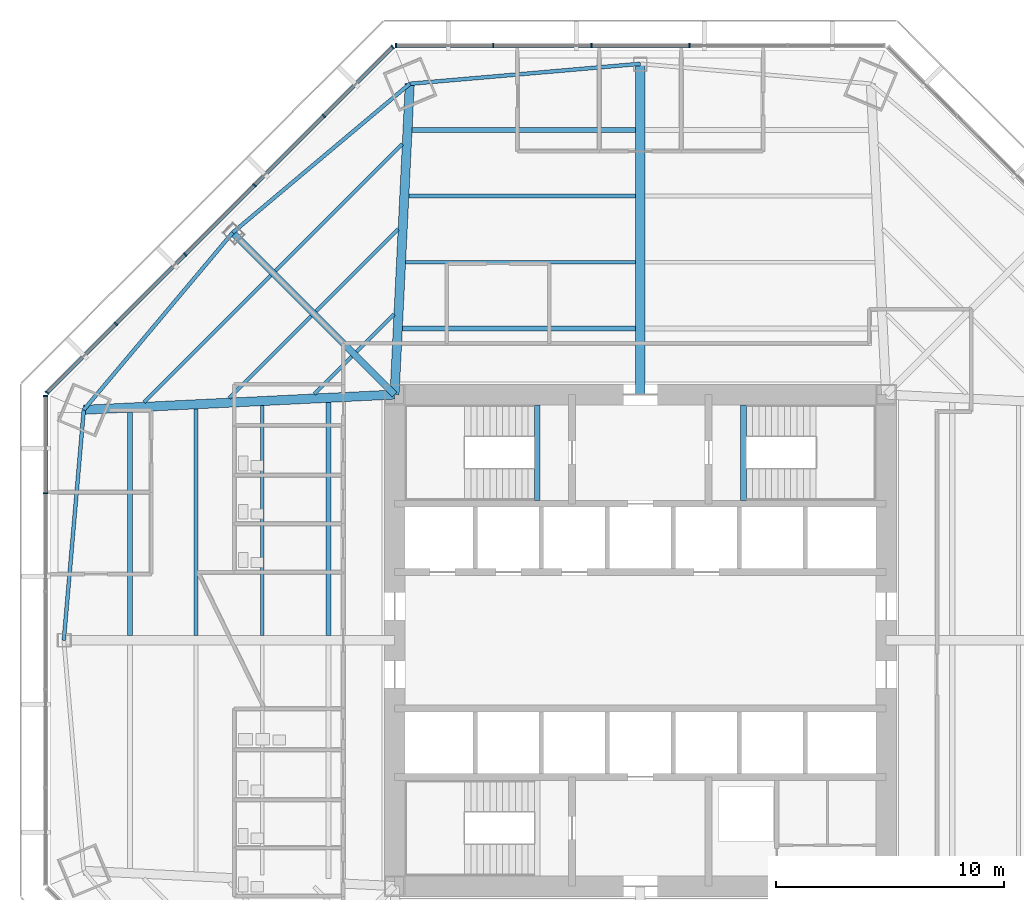
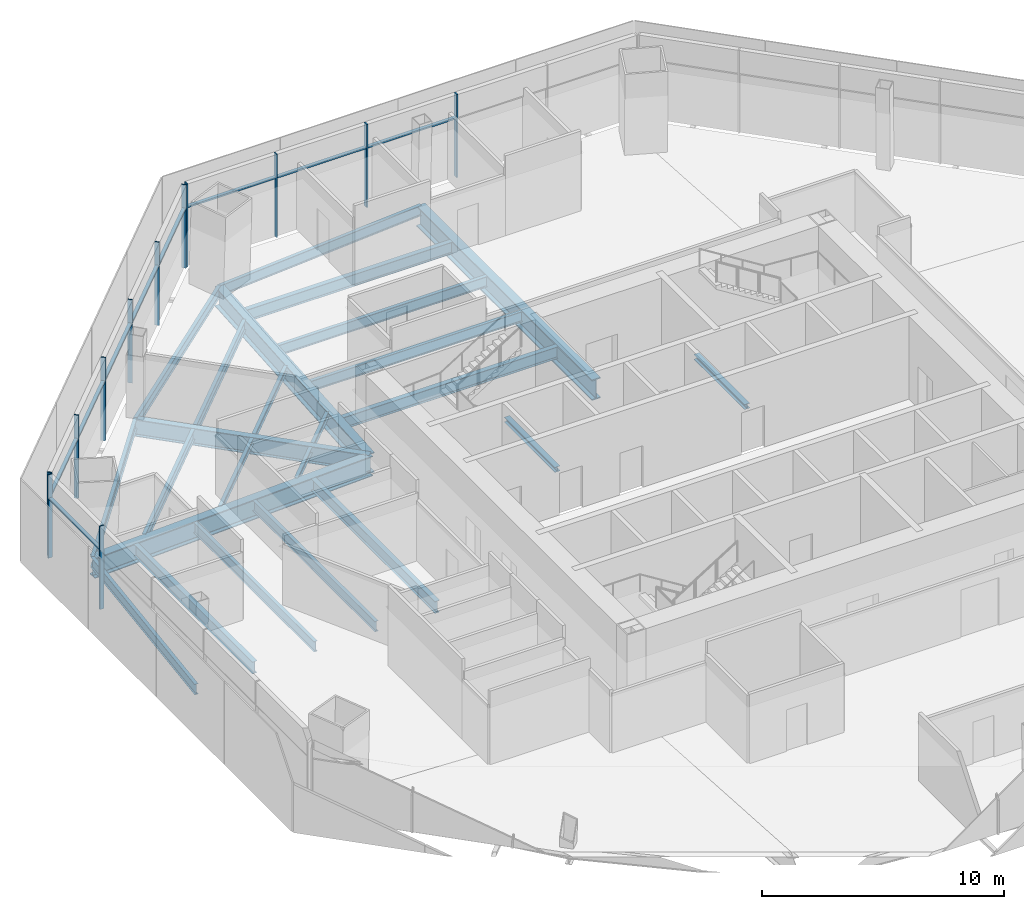
# One storey, part 5 of 15: 24 beams, 21 members, 3 elements without a shape of their own.
"""IFC4 building model written with IfcOpenShell, lengths in metres."""

from ifc_helpers import new_model, si_unit, direction, frame, origin, origin_2d, place, context, subcontext, project, spatial, rectangle, i_section, extrude, source, transform, mapped, material, material_profile, profile_set, type_object, type_shapes, element, aggregate, save


model = new_model("IFC4")

# Units and contexts
model_context = context("Model", 3, precision=1e-05, world=origin(), true_north=direction((0.0, 1.0)))
body_context = subcontext(model_context, "Body", "Model", "MODEL_VIEW")
ifc_project = project(units=[si_unit("LENGTHUNIT", "METRE"), si_unit("AREAUNIT", "SQUARE_METRE"), si_unit("VOLUMEUNIT", "CUBIC_METRE"), si_unit("PLANEANGLEUNIT", "RADIAN"), si_unit("MASSUNIT", "GRAM", prefix="KILO")], contexts=[model_context])

# Site, building, storey
site_placement = place(None, origin())
site = spatial("IfcSite", under=ifc_project, at=site_placement, CompositionType="ELEMENT")
building_placement = place(site_placement, origin())
building = spatial("IfcBuilding", under=site, at=building_placement, Name="Mashrafa Tower", CompositionType="ELEMENT")
storey_placement = place(building_placement, frame((0.0, 0.0, 66.60009765625)))
storey = spatial("IfcBuildingStorey", under=building, at=storey_placement, Name="L14", CompositionType="ELEMENT", Elevation=66.60009765625)

# Beams
ifc_material_1 = material(Name="Steel ASTM A992", Category="steel")
ifc_material_profile_1 = material_profile(ifc_material_1, i_section(OverallWidth=0.164794921875, OverallDepth=0.309814453125, WebThickness=0.005859375, FlangeThickness=0.009765625, FilletRadius=0.007568359375, at=origin_2d()), Name="W12X26")
ifc_profile_set_1 = profile_set([ifc_material_profile_1], Name="Steel ASTM A992")
beam_type_1 = type_object("IfcBeamType", Name="Beam W12X26", PredefinedType="BEAM", material=ifc_profile_set_1)
beam_1_placement = place(storey_placement, frame((-18.0703125, 10.64453125, -0.320068359375), z_axis=(0.707106781187, 0.707106781187, 0.0), x_axis=(-0.707106781187, 0.707106781187, 0.0)))
element("IfcBeam", 1, at=beam_1_placement, inside=storey, type_object=beam_type_1, Name="Floor beam L14 006", PredefinedType="BEAM", context=body_context, shape_type="SweptSolid", body=[
    extrude(i_section(OverallWidth=0.164794921875, OverallDepth=0.309814453125, WebThickness=0.005859375, FlangeThickness=0.009765625, FilletRadius=0.007568359375, at=origin_2d()), origin(), (0.0, 0.0, 1.0), 5.104736328125),
])
beam_2_placement = place(storey_placement, frame((-14.32958984375, 10.827880859375, -0.320068359375), z_axis=(0.707159169168, 0.707054389324, 0.0), x_axis=(-0.707054389324, 0.707159169168, 0.0)))
element("IfcBeam", 2, at=beam_2_placement, inside=storey, type_object=beam_type_1, Name="Floor beam L14 011", PredefinedType="BEAM", context=body_context, shape_type="SweptSolid", body=[
    extrude(i_section(OverallWidth=0.164794921875, OverallDepth=0.309814453125, WebThickness=0.005859375, FlangeThickness=0.009765625, FilletRadius=0.007568359375, at=origin_2d()), origin(), (0.0, 0.0, 1.0), 2.330078125),
])
beam_3_placement = place(storey_placement, frame((-14.254150390625, 14.460693359375, -0.320068359375), z_axis=(0.707106781187, 0.707106781187, 0.0), x_axis=(-0.707106781187, 0.707106781187, 0.0)))
element("IfcBeam", 3, at=beam_3_placement, inside=storey, type_object=beam_type_1, Name="Floor beam L14 013", PredefinedType="BEAM", context=body_context, shape_type="SweptSolid", body=[
    extrude(i_section(OverallWidth=0.164794921875, OverallDepth=0.309814453125, WebThickness=0.005859375, FlangeThickness=0.009765625, FilletRadius=0.007568359375, at=origin_2d()), origin(), (0.0, 0.0, 1.0), 5.104736328125),
])
beam_4_placement = place(storey_placement, frame((-12.475341796875, 12.681884765625, -0.320068359375), z_axis=(0.707054389324, 0.707159169168, 0.0), x_axis=(-0.707159169168, 0.707054389324, 0.0)))
element("IfcBeam", 4, at=beam_4_placement, inside=storey, type_object=beam_type_1, Name="Floor beam L14 017", PredefinedType="BEAM", context=body_context, shape_type="SweptSolid", body=[
    extrude(i_section(OverallWidth=0.164794921875, OverallDepth=0.309814453125, WebThickness=0.005859375, FlangeThickness=0.009765625, FilletRadius=0.007568359375, at=origin_2d()), origin(), (0.0, 0.0, 1.0), 2.330078125),
])
ifc_material_2 = material(Name="Steel ASTM A992", Category="steel")
ifc_material_profile_2 = material_profile(ifc_material_2, i_section(OverallWidth=0.165771484375, OverallDepth=0.5283203125, WebThickness=0.009765625, FlangeThickness=0.013671875, FilletRadius=0.012939453125, at=origin_2d()), Name="W21X50")
ifc_profile_set_2 = profile_set([ifc_material_profile_2], Name="Steel ASTM A992")
beam_type_2 = type_object("IfcBeamType", Name="Beam W21X50", PredefinedType="BEAM", material=ifc_profile_set_2)
beam_5_placement = place(storey_placement, frame((-21.81103515625, 10.461181640625, -0.42919921875), z_axis=(0.707106781187, 0.707106781187, 0.0), x_axis=(-0.707106781187, 0.707106781187, 0.0)))
element("IfcBeam", 5, at=beam_5_placement, inside=storey, type_object=beam_type_2, Name="Floor beam L14 003", PredefinedType="BEAM", context=body_context, shape_type="SweptSolid", body=[
    extrude(i_section(OverallWidth=0.165771484375, OverallDepth=0.5283203125, WebThickness=0.009765625, FlangeThickness=0.013671875, FilletRadius=0.012939453125, at=origin_2d()), origin(), (0.0, 0.0, 1.0), 7.87939453125),
])
beam_6_placement = place(storey_placement, frame((-19.521240234375, 0.20458984375, -0.42919921875), z_axis=(0.0, 1.0, 0.0), x_axis=(-1.0, 0.0, 0.0)))
element("IfcBeam", 6, at=beam_6_placement, inside=storey, type_object=beam_type_2, Name="Floor beam L14 005", PredefinedType="BEAM", context=body_context, shape_type="SweptSolid", body=[
    extrude(i_section(OverallWidth=0.165771484375, OverallDepth=0.5283203125, WebThickness=0.009765625, FlangeThickness=0.013671875, FilletRadius=0.012939453125, at=origin_2d()), origin(), (0.0, 0.0, 1.0), 9.967041015625),
])
beam_7_placement = place(storey_placement, frame((-16.6142578125, 0.20458984375, -0.42919921875), z_axis=(0.0, 1.0, 0.0), x_axis=(-1.0, 0.0, 0.0)))
element("IfcBeam", 7, at=beam_7_placement, inside=storey, type_object=beam_type_2, Name="Floor beam L14 008", PredefinedType="BEAM", context=body_context, shape_type="SweptSolid", body=[
    extrude(i_section(OverallWidth=0.165771484375, OverallDepth=0.5283203125, WebThickness=0.009765625, FlangeThickness=0.013671875, FilletRadius=0.012939453125, at=origin_2d()), origin(), (0.0, 0.0, 1.0), 10.109619140625),
])
beam_8_placement = place(storey_placement, frame((-16.03271484375, 16.239501953125, -0.42919921875), z_axis=(0.707106781187, 0.707106781187, 0.0), x_axis=(-0.707106781187, 0.707106781187, 0.0)))
element("IfcBeam", 8, at=beam_8_placement, inside=storey, type_object=beam_type_2, Name="Floor beam L14 010", PredefinedType="BEAM", context=body_context, shape_type="SweptSolid", body=[
    extrude(i_section(OverallWidth=0.165771484375, OverallDepth=0.5283203125, WebThickness=0.009765625, FlangeThickness=0.013671875, FilletRadius=0.012939453125, at=origin_2d()), origin(), (0.0, 0.0, 1.0), 7.87939453125),
])
beam_9_placement = place(storey_placement, frame((-10.314208984375, 16.6142578125, -0.42919921875), z_axis=(1.0, 0.0, 0.0), x_axis=(0.0, 1.0, 0.0)))
element("IfcBeam", 9, at=beam_9_placement, inside=storey, type_object=beam_type_2, Name="Floor beam L14 020", PredefinedType="BEAM", context=body_context, shape_type="SweptSolid", body=[
    extrude(i_section(OverallWidth=0.165771484375, OverallDepth=0.5283203125, WebThickness=0.009765625, FlangeThickness=0.013671875, FilletRadius=0.012939453125, at=origin_2d()), origin(), (0.0, 0.0, 1.0), 10.109619140625),
])
beam_10_placement = place(storey_placement, frame((-10.171630859375, 19.521240234375, -0.42919921875), z_axis=(1.0, 0.0, 0.0), x_axis=(0.0, 1.0, 0.0)))
element("IfcBeam", 10, at=beam_10_placement, inside=storey, type_object=beam_type_2, Name="Floor beam L14 022", PredefinedType="BEAM", context=body_context, shape_type="SweptSolid", body=[
    extrude(i_section(OverallWidth=0.165771484375, OverallDepth=0.5283203125, WebThickness=0.009765625, FlangeThickness=0.013671875, FilletRadius=0.012939453125, at=origin_2d()), origin(), (0.0, 0.0, 1.0), 9.967041015625),
])
beam_11_placement = place(storey_placement, frame((-24.457275390625, 10.130615234375, -0.42919921875), z_axis=(-0.08636127718, -0.996263885627, 0.0), x_axis=(0.996263885627, -0.08636127718, 0.0)))
element("IfcBeam", 11, at=beam_11_placement, inside=storey, type_object=beam_type_2, Name="Spandrel beam L14 075", PredefinedType="BEAM", context=body_context, shape_type="SweptSolid", body=[
    extrude(i_section(OverallWidth=0.165771484375, OverallDepth=0.5283203125, WebThickness=0.009765625, FlangeThickness=0.013671875, FilletRadius=0.012939453125, at=origin_2d()), origin(), (0.0, 0.0, 1.0), 10.168701171875),
])
for number, where, z_axis, x_axis, name in (
    (12, (-17.914794921875, 17.914794921875, -0.42919921875), (-0.643409408254, -0.765522261839, 0.0), (0.765522261839, -0.643409408254, 0.0), "Spandrel beam L14 077"),
    (13, (-10.130615234375, 24.457275390625, -0.42919921875), (-0.765522261839, -0.643409408254, 0.0), (0.643409408254, -0.765522261839, 0.0), "Spandrel beam L14 079"),
):
    element("IfcBeam", number, at=place(storey_placement, frame(where, z_axis=z_axis, x_axis=x_axis)), inside=storey, type_object=beam_type_2, Name=name, PredefinedType="BEAM", context=body_context, shape_type="SweptSolid", body=[
        extrude(i_section(OverallWidth=0.165771484375, OverallDepth=0.5283203125, WebThickness=0.009765625, FlangeThickness=0.013671875, FilletRadius=0.012939453125, at=origin_2d()), origin(), (0.0, 0.0, 1.0), 10.16845703125),
    ])
beam_12_placement = place(storey_placement, frame((0.0, 25.33544921875, -0.42919921875), z_axis=(-0.996263885627, -0.08636127718, 0.0), x_axis=(0.08636127718, -0.996263885627, 0.0)))
element("IfcBeam", 14, at=beam_12_placement, inside=storey, type_object=beam_type_2, Name="Spandrel beam L14 081", PredefinedType="BEAM", context=body_context, shape_type="SweptSolid", body=[
    extrude(i_section(OverallWidth=0.165771484375, OverallDepth=0.5283203125, WebThickness=0.009765625, FlangeThickness=0.013671875, FilletRadius=0.012939453125, at=origin_2d()), origin(), (0.0, 0.0, 1.0), 10.168701171875),
])
ifc_material_3 = material(Name="Steel ASTM A992", Category="steel")
ifc_material_profile_3 = material_profile(ifc_material_3, i_section(OverallWidth=0.227783203125, OverallDepth=0.60205078125, WebThickness=0.010498046875, FlangeThickness=0.014892578125, FilletRadius=0.012939453125, at=origin_2d()), Name="W24X68")
ifc_profile_set_3 = profile_set([ifc_material_profile_3], Name="Steel ASTM A992")
beam_type_3 = type_object("IfcBeamType", Name="Beam W24X68", PredefinedType="BEAM", material=ifc_profile_set_3)
beam_13_placement = place(storey_placement, frame((-22.42822265625, 0.20458984375, -0.466064453125), z_axis=(0.0, 1.0, 0.0), x_axis=(-1.0, 0.0, 0.0)))
element("IfcBeam", 15, at=beam_13_placement, inside=storey, type_object=beam_type_3, Name="Floor beam L14 002", PredefinedType="BEAM", context=body_context, shape_type="SweptSolid", body=[
    extrude(i_section(OverallWidth=0.227783203125, OverallDepth=0.60205078125, WebThickness=0.010498046875, FlangeThickness=0.014892578125, FilletRadius=0.012939453125, at=origin_2d()), origin(), (0.0, 0.0, 1.0), 9.824462890625),
])
for number, where, z_axis, x_axis, name in (
    (16, (-13.70703125, 0.20458984375, -0.466064453125), (0.0, 1.0, 0.0), (-1.0, 0.0, 0.0), "Floor beam L14 015"),
    (17, (-10.45654296875, 13.70703125, -0.466064453125), (1.0, 0.0, 0.0), (0.0, 1.0, 0.0), "Floor beam L14 018"),
):
    element("IfcBeam", number, at=place(storey_placement, frame(where, z_axis=z_axis, x_axis=x_axis)), inside=storey, type_object=beam_type_3, Name=name, PredefinedType="BEAM", context=body_context, shape_type="SweptSolid", body=[
        extrude(i_section(OverallWidth=0.227783203125, OverallDepth=0.60205078125, WebThickness=0.010498046875, FlangeThickness=0.014892578125, FilletRadius=0.012939453125, at=origin_2d()), origin(), (0.0, 0.0, 1.0), 10.251953125),
    ])
beam_14_placement = place(storey_placement, frame((-10.029052734375, 22.42822265625, -0.466064453125), z_axis=(1.0, 0.0, 0.0), x_axis=(0.0, 1.0, 0.0)))
element("IfcBeam", 18, at=beam_14_placement, inside=storey, type_object=beam_type_3, Name="Floor beam L14 024", PredefinedType="BEAM", context=body_context, shape_type="SweptSolid", body=[
    extrude(i_section(OverallWidth=0.227783203125, OverallDepth=0.60205078125, WebThickness=0.010498046875, FlangeThickness=0.014892578125, FilletRadius=0.012939453125, at=origin_2d()), origin(), (0.0, 0.0, 1.0), 9.824462890625),
])
ifc_material_4 = material(Name="Steel ASTM A992", Category="steel")
ifc_material_profile_4 = material_profile(ifc_material_4, i_section(OverallWidth=0.2919921875, OverallDepth=0.8583984375, WebThickness=0.01708984375, FlangeThickness=0.031005859375, FilletRadius=0.017822265625, at=origin_2d()), Name="W33X169")
ifc_profile_set_4 = profile_set([ifc_material_profile_4], Name="Steel ASTM A992")
beam_type_4 = type_object("IfcBeamType", Name="Beam W33X169", PredefinedType="BEAM", material=ifc_profile_set_4)
beam_15_placement = place(storey_placement, frame((-10.800048828125, 10.800048828125, -0.59423828125), z_axis=(-0.707106781187, 0.707106781187, 0.0), x_axis=(-0.707106781187, -0.707106781187, 0.0)))
element("IfcBeam", 19, at=beam_15_placement, inside=storey, type_object=beam_type_4, Name="Radial girder L14 062", PredefinedType="BEAM", context=body_context, shape_type="SweptSolid", body=[
    extrude(i_section(OverallWidth=0.2919921875, OverallDepth=0.8583984375, WebThickness=0.01708984375, FlangeThickness=0.031005859375, FilletRadius=0.017822265625, at=origin_2d()), origin(), (0.0, 0.0, 1.0), 10.061767578125),
])
ifc_material_5 = material(Name="Steel ASTM A992", Category="steel")
ifc_material_profile_5 = material_profile(ifc_material_5, i_section(OverallWidth=0.4013671875, OverallDepth=1.010986328125, WebThickness=0.023681640625, FlangeThickness=0.0419921875, FilletRadius=0.02001953125, at=origin_2d()), Name="W40X297")
ifc_profile_set_5 = profile_set([ifc_material_profile_5], Name="Steel ASTM A992")
beam_type_5 = type_object("IfcBeamType", Name="Beam W40X297", PredefinedType="BEAM", material=ifc_profile_set_5)
for number, where, z_axis, x_axis, name in (
    (20, (-10.800048828125, 10.800048828125, -0.670654296875), (-0.998800836919, -0.048958024577, 0.0), (0.048958024577, -0.998800836919, 0.0), "Radial girder L14 061"),
    (21, (-10.800048828125, 10.800048828125, -0.670654296875), (0.048958024577, 0.998800836919, 0.0), (-0.998800836919, 0.048958024577, 0.0), "Radial girder L14 063"),
):
    element("IfcBeam", number, at=place(storey_placement, frame(where, z_axis=z_axis, x_axis=x_axis)), inside=storey, type_object=beam_type_5, Name=name, PredefinedType="BEAM", context=body_context, shape_type="SweptSolid", body=[
        extrude(i_section(OverallWidth=0.4013671875, OverallDepth=1.010986328125, WebThickness=0.023681640625, FlangeThickness=0.0419921875, FilletRadius=0.02001953125, at=origin_2d()), origin(), (0.0, 0.0, 1.0), 13.673583984375),
    ])
ifc_material_6 = material(Name="Steel ASTM A992", Category="steel")
ifc_material_profile_6 = material_profile(ifc_material_6, i_section(OverallWidth=0.408935546875, OverallDepth=1.04150390625, WebThickness=0.031005859375, FlangeThickness=0.055908203125, FilletRadius=0.020263671875, at=origin_2d()), Name="W40X397")
ifc_profile_set_6 = profile_set([ifc_material_profile_6], Name="Steel ASTM A992")
beam_type_6 = type_object("IfcBeamType", Name="Beam W40X397", PredefinedType="BEAM", material=ifc_profile_set_6)
beam_16_placement = place(storey_placement, frame((0.0, 10.800048828125, -0.685791015625), z_axis=(0.0, 1.0, 0.0), x_axis=(-1.0, 0.0, 0.0)))
element("IfcBeam", 22, at=beam_16_placement, inside=storey, type_object=beam_type_6, Name="Radial girder L14 065", PredefinedType="BEAM", context=body_context, shape_type="SweptSolid", body=[
    extrude(i_section(OverallWidth=0.408935546875, OverallDepth=1.04150390625, WebThickness=0.031005859375, FlangeThickness=0.055908203125, FilletRadius=0.020263671875, at=origin_2d()), origin(), (0.0, 0.0, 1.0), 14.535400390625),
])
ifc_material_7 = material(Name="Steel ASTM A992", Category="steel")
ifc_material_profile_7 = material_profile(ifc_material_7, i_section(OverallWidth=0.25390625, OverallDepth=0.25390625, WebThickness=0.008544921875, FlangeThickness=0.01416015625, FilletRadius=0.010009765625, at=origin_2d()), Name="W10X49")
ifc_profile_set_7 = profile_set([ifc_material_profile_7], Name="Steel ASTM A992")
beam_type_7 = type_object("IfcBeamType", Name="Hoistway beam W10X49", PredefinedType="BEAM", material=ifc_profile_set_7)
for number, where, z_axis, x_axis, name in (
    (23, (-4.530029296875, 6.14990234375, -0.3271484375), (0.0, 1.0, 0.0), (-1.0, 0.0, 0.0), "Stair S1 landing beam L14"),
    (24, (4.530029296875, 6.14990234375, -0.3271484375), (0.0, 1.0, 0.0), (-1.0, 0.0, 0.0), "Stair S2 landing beam L14"),
):
    element("IfcBeam", number, at=place(storey_placement, frame(where, z_axis=z_axis, x_axis=x_axis)), inside=storey, type_object=beam_type_7, Name=name, PredefinedType="BEAM", context=body_context, shape_type="SweptSolid", body=[
        extrude(i_section(OverallWidth=0.25390625, OverallDepth=0.25390625, WebThickness=0.008544921875, FlangeThickness=0.01416015625, FilletRadius=0.010009765625, at=origin_2d()), origin(), (0.0, 0.0, 1.0), 4.2001953125),
    ])

# Curtain wall, members
ifc_material_8 = material(Name="Unitised aluminium curtain wall", Category="aluminium")
curtain_wall_type = type_object("IfcCurtainWallType", Name="Office curtain wall, zone 1 CW-A 200 deep", PredefinedType="NOTDEFINED", material=ifc_material_8)
curtain_wall_1_placement = place(storey_placement, origin())
curtain_wall_1 = element("IfcCurtainWall", 25, at=curtain_wall_1_placement, inside=storey, type_object=curtain_wall_type, Name="Office curtain wall, zone 1 L14 north", PredefinedType="NOTDEFINED")
ifc_material_9 = material(Name="Extruded aluminium mullion", Category="aluminium")
ifc_material_profile_8 = material_profile(ifc_material_9, rectangle(XDim=0.199951171875, YDim=0.06494140625, at=origin_2d()), Name="Mullion 65x200")
ifc_profile_set_8 = profile_set([ifc_material_profile_8], Name="Extruded aluminium mullion")
member_type_1 = type_object("IfcMemberType", Name="Mullion CW-A 65 x 200", PredefinedType="MULLION", material=ifc_profile_set_8)
shared_shape_1 = source(origin(), body_context, "Body", "SweptSolid", [
    extrude(rectangle(XDim=0.199951171875, YDim=0.06494140625, at=origin_2d()), origin(), (0.0, 0.0, 1.0), 4.199951171875),
])
type_shapes(member_type_1, [shared_shape_1])
member_1_placement = place(storey_placement, frame((2.154541015625, 26.130615234375, 0.0), z_axis=(0.0, 0.0, 1.0), x_axis=(0.0, -1.0, 0.0)))
member_1 = element("IfcMember", 26, at=member_1_placement, type_object=member_type_1, Name="CW-A mullion 3", PredefinedType="MULLION", context=body_context, shape_type="MappedRepresentation", body=[
    mapped(shared_shape_1, transform((0.0, 0.0, 0.0))),
])
member_2_placement = place(storey_placement, frame((-2.154541015625, 26.130615234375, 0.0), z_axis=(0.0, 0.0, 1.0), x_axis=(0.0, -1.0, 0.0)))
member_2 = element("IfcMember", 27, at=member_2_placement, type_object=member_type_1, Name="CW-A mullion 4", PredefinedType="MULLION", context=body_context, shape_type="MappedRepresentation", body=[
    mapped(shared_shape_1, transform((0.0, 0.0, 0.0))),
])
member_3_placement = place(storey_placement, frame((-6.46337890625, 26.130615234375, 0.0), z_axis=(0.0, 0.0, 1.0), x_axis=(0.0, -1.0, 0.0)))
member_3 = element("IfcMember", 28, at=member_3_placement, type_object=member_type_1, Name="CW-A mullion 5", PredefinedType="MULLION", context=body_context, shape_type="MappedRepresentation", body=[
    mapped(shared_shape_1, transform((0.0, 0.0, 0.0))),
])
member_4_placement = place(storey_placement, frame((-10.73974609375, 26.130615234375, 0.0), z_axis=(0.0, 0.0, 1.0), x_axis=(0.0, -1.0, 0.0)))
member_4 = element("IfcMember", 29, at=member_4_placement, type_object=member_type_1, Name="CW-A mullion 6", PredefinedType="MULLION", context=body_context, shape_type="MappedRepresentation", body=[
    mapped(shared_shape_1, transform((0.0, 0.0, 0.0))),
])

curtain_wall_2_placement = place(storey_placement, origin())
curtain_wall_2 = element("IfcCurtainWall", 30, at=curtain_wall_2_placement, inside=storey, type_object=curtain_wall_type, Name="Office curtain wall, zone 1 L14 north-west", PredefinedType="NOTDEFINED")
member_5_placement = place(storey_placement, frame((-10.883056640625, 26.0712890625, 0.0), z_axis=(0.0, 0.0, 1.0), x_axis=(0.707106781187, -0.707106781187, 0.0)))
member_5 = element("IfcMember", 31, at=member_5_placement, type_object=member_type_1, Name="CW-A mullion 1", PredefinedType="MULLION", context=body_context, shape_type="MappedRepresentation", body=[
    mapped(shared_shape_1, transform((0.0, 0.0, 0.0))),
])
member_6_placement = place(storey_placement, frame((-13.906982421875, 23.04736328125, 0.0), z_axis=(0.0, 0.0, 1.0), x_axis=(0.707106781187, -0.707106781187, 0.0)))
member_6 = element("IfcMember", 32, at=member_6_placement, type_object=member_type_1, Name="CW-A mullion 2", PredefinedType="MULLION", context=body_context, shape_type="MappedRepresentation", body=[
    mapped(shared_shape_1, transform((0.0, 0.0, 0.0))),
])
member_7_placement = place(storey_placement, frame((-16.953857421875, 20.000732421875, 0.0), z_axis=(0.0, 0.0, 1.0), x_axis=(0.707106781187, -0.707106781187, 0.0)))
member_7 = element("IfcMember", 33, at=member_7_placement, type_object=member_type_1, Name="CW-A mullion 3", PredefinedType="MULLION", context=body_context, shape_type="MappedRepresentation", body=[
    mapped(shared_shape_1, transform((0.0, 0.0, 0.0))),
])
member_8_placement = place(storey_placement, frame((-20.000732421875, 16.953857421875, 0.0), z_axis=(0.0, 0.0, 1.0), x_axis=(0.707106781187, -0.707106781187, 0.0)))
member_8 = element("IfcMember", 34, at=member_8_placement, type_object=member_type_1, Name="CW-A mullion 4", PredefinedType="MULLION", context=body_context, shape_type="MappedRepresentation", body=[
    mapped(shared_shape_1, transform((0.0, 0.0, 0.0))),
])
member_9_placement = place(storey_placement, frame((-23.04736328125, 13.906982421875, 0.0), z_axis=(0.0, 0.0, 1.0), x_axis=(0.707106781187, -0.707106781187, 0.0)))
member_9 = element("IfcMember", 35, at=member_9_placement, type_object=member_type_1, Name="CW-A mullion 5", PredefinedType="MULLION", context=body_context, shape_type="MappedRepresentation", body=[
    mapped(shared_shape_1, transform((0.0, 0.0, 0.0))),
])
member_10_placement = place(storey_placement, frame((-26.0712890625, 10.883056640625, 0.0), z_axis=(0.0, 0.0, 1.0), x_axis=(0.707106781187, -0.707106781187, 0.0)))
member_10 = element("IfcMember", 36, at=member_10_placement, type_object=member_type_1, Name="CW-A mullion 6", PredefinedType="MULLION", context=body_context, shape_type="MappedRepresentation", body=[
    mapped(shared_shape_1, transform((0.0, 0.0, 0.0))),
])

curtain_wall_3_placement = place(storey_placement, origin())
curtain_wall_3 = element("IfcCurtainWall", 37, at=curtain_wall_3_placement, inside=storey, type_object=curtain_wall_type, Name="Office curtain wall, zone 1 L14 west", PredefinedType="NOTDEFINED")
member_11_placement = place(storey_placement, frame((-26.130615234375, 10.73974609375, 0.0), z_axis=(0.0, 0.0, 1.0), x_axis=(1.0, 0.0, 0.0)))
member_11 = element("IfcMember", 38, at=member_11_placement, type_object=member_type_1, Name="CW-A mullion 1", PredefinedType="MULLION", context=body_context, shape_type="MappedRepresentation", body=[
    mapped(shared_shape_1, transform((0.0, 0.0, 0.0))),
])
member_12_placement = place(storey_placement, frame((-26.130615234375, 6.46337890625, 0.0), z_axis=(0.0, 0.0, 1.0), x_axis=(1.0, 0.0, 0.0)))
member_12 = element("IfcMember", 39, at=member_12_placement, type_object=member_type_1, Name="CW-A mullion 2", PredefinedType="MULLION", context=body_context, shape_type="MappedRepresentation", body=[
    mapped(shared_shape_1, transform((0.0, 0.0, 0.0))),
])

# Member
ifc_material_10 = material(Name="Extruded aluminium transom", Category="aluminium")
ifc_material_profile_9 = material_profile(ifc_material_10, rectangle(XDim=0.159912109375, YDim=0.080078125, at=origin_2d()), Name="Transom 80x160")
ifc_profile_set_9 = profile_set([ifc_material_profile_9], Name="Extruded aluminium transom")
member_type_2 = type_object("IfcMemberType", Name="Transom CW-A 80 x 160", PredefinedType="MULLION", material=ifc_profile_set_9)
shared_shape_2 = source(origin(), body_context, "Body", "SweptSolid", [
    extrude(rectangle(XDim=0.159912109375, YDim=0.080078125, at=origin_2d()), origin(), (0.0, 0.0, 1.0), 4.21142578125),
])
member_13_placement = place(storey_placement, frame((-6.495849609375, 26.130615234375, 3.0), z_axis=(-1.0, 0.0, 0.0), x_axis=(0.0, -1.0, 0.0)))
member_13 = element("IfcMember", 40, at=member_13_placement, type_object=member_type_2, Name="CW-A transom 5", PredefinedType="MULLION", context=body_context, shape_type="MappedRepresentation", body=[
    mapped(shared_shape_2, transform((0.0, 0.0, 0.0))),
])

member_14_placement = place(storey_placement, frame((-10.906005859375, 26.04833984375, 3.0), z_axis=(-0.707135766318, -0.707077794867, 0.0), x_axis=(0.707077794867, -0.707135766318, 0.0)))
member_14 = element("IfcMember", 41, at=member_14_placement, type_object=member_type_2, Name="CW-A transom 1", PredefinedType="MULLION", context=body_context, shape_type="MappedRepresentation", body=[
    mapped(shared_shape_2, transform((0.0, 0.0, 0.0))),
])

member_15_placement = place(storey_placement, frame((-23.070556640625, 13.884033203125, 3.0), z_axis=(-0.707077794867, -0.707135766318, 0.0), x_axis=(0.707135766318, -0.707077794867, 0.0)))
member_15 = element("IfcMember", 42, at=member_15_placement, type_object=member_type_2, Name="CW-A transom 5", PredefinedType="MULLION", context=body_context, shape_type="MappedRepresentation", body=[
    mapped(shared_shape_2, transform((0.0, 0.0, 0.0))),
])

member_16_placement = place(storey_placement, frame((-26.130615234375, 10.707275390625, 3.0), z_axis=(0.0, -1.0, 0.0), x_axis=(1.0, 0.0, 0.0)))
member_16 = element("IfcMember", 43, at=member_16_placement, type_object=member_type_2, Name="CW-A transom 1", PredefinedType="MULLION", context=body_context, shape_type="MappedRepresentation", body=[
    mapped(shared_shape_2, transform((0.0, 0.0, 0.0))),
])

aggregate(curtain_wall_3, [member_11, member_12, member_16])

shared_shape_3 = source(origin(), body_context, "Body", "SweptSolid", [
    extrude(rectangle(XDim=0.159912109375, YDim=0.080078125, at=origin_2d()), origin(), (0.0, 0.0, 1.0), 4.243896484375),
])
member_17_placement = place(storey_placement, frame((-2.18701171875, 26.130615234375, 3.0), z_axis=(-1.0, 0.0, 0.0), x_axis=(0.0, -1.0, 0.0)))
member_17 = element("IfcMember", 44, at=member_17_placement, type_object=member_type_2, Name="CW-A transom 4", PredefinedType="MULLION", context=body_context, shape_type="MappedRepresentation", body=[
    mapped(shared_shape_3, transform((0.0, 0.0, 0.0))),
])

shared_shape_4 = source(origin(), body_context, "Body", "SweptSolid", [
    extrude(rectangle(XDim=0.159912109375, YDim=0.080078125, at=origin_2d()), origin(), (0.0, 0.0, 1.0), 4.244140625),
])
member_18_placement = place(storey_placement, frame((2.1220703125, 26.130615234375, 3.0), z_axis=(-1.0, 0.0, 0.0), x_axis=(0.0, -1.0, 0.0)))
member_18 = element("IfcMember", 45, at=member_18_placement, type_object=member_type_2, Name="CW-A transom 3", PredefinedType="MULLION", context=body_context, shape_type="MappedRepresentation", body=[
    mapped(shared_shape_4, transform((0.0, 0.0, 0.0))),
])

aggregate(curtain_wall_1, [member_1, member_2, member_3, member_4, member_18, member_17, member_13])

shared_shape_5 = source(origin(), body_context, "Body", "SweptSolid", [
    extrude(rectangle(XDim=0.159912109375, YDim=0.080078125, at=origin_2d()), origin(), (0.0, 0.0, 1.0), 4.24365234375),
])
type_shapes(member_type_2, [shared_shape_2, shared_shape_3, shared_shape_4, shared_shape_5])
member_19_placement = place(storey_placement, frame((-13.929931640625, 23.0244140625, 3.0), z_axis=(-0.707106781187, -0.707106781187, 0.0), x_axis=(0.707106781187, -0.707106781187, 0.0)))
member_19 = element("IfcMember", 46, at=member_19_placement, type_object=member_type_2, Name="CW-A transom 2", PredefinedType="MULLION", context=body_context, shape_type="MappedRepresentation", body=[
    mapped(shared_shape_5, transform((0.0, 0.0, 0.0))),
])

member_20_placement = place(storey_placement, frame((-16.976806640625, 19.9775390625, 3.0), z_axis=(-0.707106781187, -0.707106781187, 0.0), x_axis=(0.707106781187, -0.707106781187, 0.0)))
member_20 = element("IfcMember", 47, at=member_20_placement, type_object=member_type_2, Name="CW-A transom 3", PredefinedType="MULLION", context=body_context, shape_type="MappedRepresentation", body=[
    mapped(shared_shape_5, transform((0.0, 0.0, 0.0))),
])

member_21_placement = place(storey_placement, frame((-20.023681640625, 16.9306640625, 3.0), z_axis=(-0.707106781187, -0.707106781187, 0.0), x_axis=(0.707106781187, -0.707106781187, 0.0)))
member_21 = element("IfcMember", 48, at=member_21_placement, type_object=member_type_2, Name="CW-A transom 4", PredefinedType="MULLION", context=body_context, shape_type="MappedRepresentation", body=[
    mapped(shared_shape_5, transform((0.0, 0.0, 0.0))),
])

aggregate(curtain_wall_2, [member_5, member_6, member_7, member_8, member_9, member_10, member_14, member_19, member_20, member_21, member_15])

save(model, "model.ifc")
